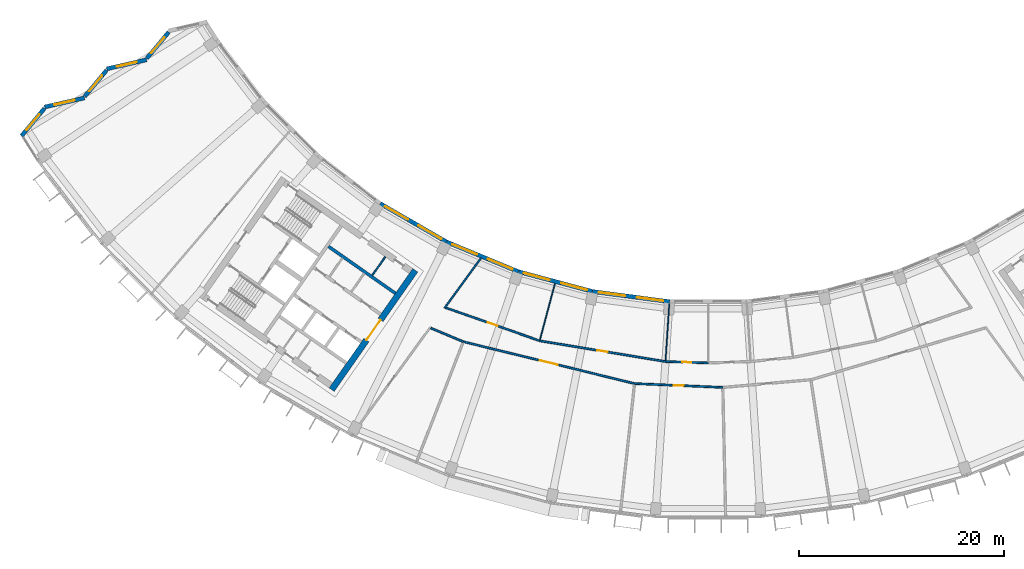
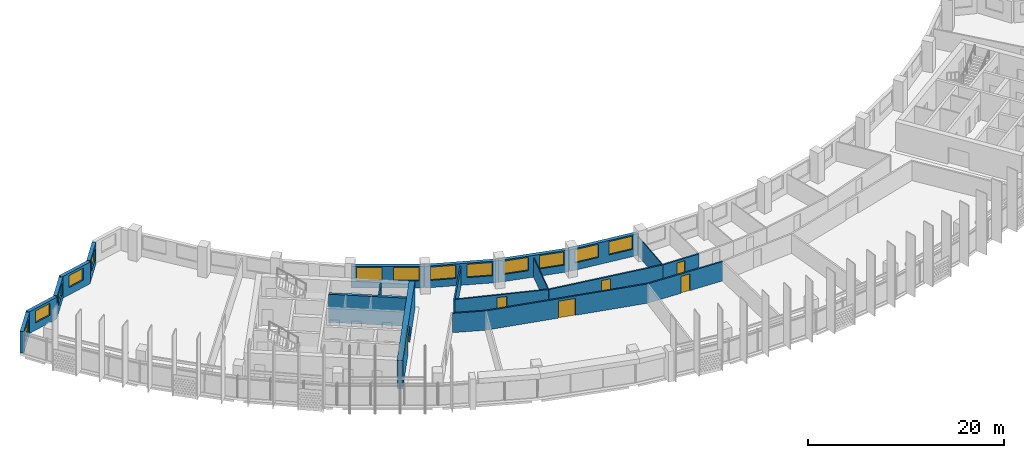
# One storey, part 4 of 28: 21 walls, 13 windows, 6 doors, 19 openings.
"""IFC4 building model written with IfcOpenShell, lengths in metres."""

from ifc_helpers import new_model, si_unit, direction, frame, frame_2d, origin, place, context, subcontext, project, spatial, rectangle, extrude, material, layer, layer_set, type_object, element, fill, save


model = new_model("IFC4")

# Units and contexts
model_context = context("Model", 3, precision=1e-05, world=origin(), true_north=direction((0.0, 1.0)))
body_context = subcontext(model_context, "Body", "Model", "MODEL_VIEW")
ifc_project = project(units=[si_unit("LENGTHUNIT", "METRE"), si_unit("AREAUNIT", "SQUARE_METRE"), si_unit("VOLUMEUNIT", "CUBIC_METRE"), si_unit("PLANEANGLEUNIT", "RADIAN"), si_unit("MASSUNIT", "GRAM", prefix="KILO")], contexts=[model_context])

# Site, building, storey
site_placement = place(None, origin())
site = spatial("IfcSite", under=ifc_project, at=site_placement, CompositionType="ELEMENT")
building_placement = place(site_placement, origin())
building = spatial("IfcBuilding", under=site, at=building_placement, Name="Qamariyya Broadcast Tower", CompositionType="ELEMENT")
storey_placement = place(building_placement, frame((0.0, 0.0, 234.10009765625)))
storey = spatial("IfcBuildingStorey", under=building, at=storey_placement, Name="L56", CompositionType="ELEMENT", Elevation=234.10009765625)

# Wall, opening, door
ifc_material_1 = material(Name="Concrete C60/75", Category="concrete")
ifc_layer_1 = layer(ifc_material_1, 0.60009765625)
ifc_layer_set_1 = layer_set([ifc_layer_1], Name="Core wall 600 mm Concrete C60/75")
wall_type_1 = type_object("IfcWallType", Name="Core wall 600 mm Concrete C60/75", PredefinedType="SHEAR", material=ifc_layer_set_1)
wall_1_placement = place(storey_placement, frame((-36.66748046875, -66.005126953125, 0.0), z_axis=(0.0, 0.0, 1.0), x_axis=(0.573568499524, 0.819157601658, 0.0)))
wall_1 = element("IfcWall", 1, at=wall_1_placement, inside=storey, type_object=wall_type_1, Name="k-W-L56-WA", PredefinedType="SHEAR", context=body_context, shape_type="SweptSolid", body=[
    extrude(rectangle(XDim=14.19970703125, YDim=0.60009765625, at=frame_2d((7.099853515625, 0.0))), origin(), (0.0, 0.0, 1.0), 3.5),
])
opening_1_placement = place(wall_1_placement, frame((5.89990234375, 0.0, 0.0)))
opening_1 = element("IfcOpeningElement", 2, at=opening_1_placement, cuts=wall_1, Name="Opening KD3-W1", PredefinedType="OPENING", context=body_context, shape_type="SweptSolid", body=[
    extrude(rectangle(XDim=2.39990234375, YDim=2.10009765625, at=frame_2d((1.199951171875, 1.050048828125))), frame((0.0, 0.31005859375, 0.0), z_axis=(0.0, -1.0, 0.0), x_axis=(1.0, 0.0, 0.0)), (0.0, 0.0, 1.0), 0.6201171875),
])
ifc_material_2 = material(Name="Steel fire-resisting door leaf", Category="steel")
door_type_1 = type_object("IfcDoorType", Name="Lift lobby door KD3", OperationType="DOUBLE_DOOR_SINGLE_SWING", PredefinedType="DOOR", material=ifc_material_2)
door_1_placement = place(opening_1_placement, origin())
door_1 = element("IfcDoor", 3, at=door_1_placement, inside=storey, type_object=door_type_1, Name="k-W-L56-WA-D1", OperationType="DOUBLE_DOOR_SINGLE_SWING", OverallHeight=2.10009765625, OverallWidth=2.39990234375, PredefinedType="DOOR", context=body_context, shape_type="SweptSolid", body=[
    extrude(rectangle(XDim=2.39990234375, YDim=2.10009765625, at=frame_2d((1.199951171875, 1.050048828125))), frame((0.0, 0.02490234375, 0.0), z_axis=(0.0, -1.0, 0.0), x_axis=(1.0, 0.0, 0.0)), (0.0, 0.0, 1.0), 0.050048828125),
])
fill(opening_1, door_1)

# Walls
ifc_material_3 = material(Name="Gypsum board partition")
ifc_layer_2 = layer(ifc_material_3, 0.14990234375)
ifc_layer_set_2 = layer_set([ifc_layer_2], Name="Corridor partition 150 EI 60")
wall_type_2 = type_object("IfcWallType", Name="Corridor partition 150 EI 60", PredefinedType="PARTITIONING", material=ifc_layer_set_2)
wall_2_placement = place(storey_placement, frame((-22.135498046875, -53.1943359375, 0.0), z_axis=(0.0, 0.0, 1.0), x_axis=(-0.589303921314, -0.807911435941, 0.0)))
element("IfcWall", 4, at=wall_2_placement, inside=storey, type_object=wall_type_2, Name="Partition L56-007", PredefinedType="PARTITIONING", context=body_context, shape_type="SweptSolid", body=[
    extrude(rectangle(XDim=6.02294921875, YDim=0.14990234375, at=frame_2d((3.011474609375, 0.0))), origin(), (0.0, 0.0, 1.0), 2.39990234375),
])
ifc_material_4 = material(Name="Gypsum board partition on steel studs", Category="steel")
ifc_layer_3 = layer(ifc_material_4, 0.14990234375)
ifc_layer_set_3 = layer_set([ifc_layer_3], Name="Gypsum board partition 150 mm")
wall_type_3 = type_object("IfcWallType", Name="Gypsum board partition 150 mm", PredefinedType="PARTITIONING", material=ifc_layer_set_3)
wall_3_placement = place(storey_placement, frame((-32.709228515625, -54.860107421875, 0.0), z_axis=(0.0, 0.0, 1.0), x_axis=(0.573633636671, 0.819111989218, 0.0)))
element("IfcWall", 5, at=wall_3_placement, inside=storey, type_object=wall_type_3, Name="k-W-L56-NP285", PredefinedType="PARTITIONING", context=body_context, shape_type="SweptSolid", body=[
    extrude(rectangle(XDim=2.199951171875, YDim=0.14990234375, at=frame_2d((1.10009765625, 0.0))), origin(), (0.0, 0.0, 1.0), 3.5),
])
ifc_layer_4 = layer(ifc_material_1, 0.300048828125)
ifc_layer_set_4 = layer_set([ifc_layer_4], Name="Lift shaft wall 300 mm Concrete C60/75")
wall_type_4 = type_object("IfcWallType", Name="Lift shaft wall 300 mm Concrete C60/75", PredefinedType="SOLIDWALL", material=ifc_layer_set_4)
wall_4_placement = place(storey_placement, frame((-30.460693359375, -56.61767578125, 0.0), z_axis=(0.0, 0.0, 1.0), x_axis=(-0.819142461705, 0.573590121456, 0.0)))
element("IfcWall", 6, at=wall_4_placement, inside=storey, type_object=wall_type_4, Name="k-W-L56-NB0", PredefinedType="SOLIDWALL", context=body_context, shape_type="SweptSolid", body=[
    extrude(rectangle(XDim=7.949951171875, YDim=0.300048828125, at=frame_2d((3.97509765625, 0.0))), origin(), (0.0, 0.0, 1.0), 3.5),
])
ifc_layer_5 = layer(ifc_material_3, 0.10009765625)
ifc_layer_set_5 = layer_set([ifc_layer_5], Name="Partition 100")
wall_type_5 = type_object("IfcWallType", Name="Partition 100", PredefinedType="PARTITIONING", material=ifc_layer_set_5)
wall_5_placement = place(storey_placement, frame((-14.9150390625, -55.66357421875, 0.0), z_axis=(0.0, 0.0, 1.0), x_axis=(-0.25879621203, -0.965931944103, 0.0)))
element("IfcWall", 7, at=wall_5_placement, inside=storey, type_object=wall_type_5, Name="Partition L56-009", PredefinedType="PARTITIONING", context=body_context, shape_type="SweptSolid", body=[
    extrude(rectangle(XDim=5.682861328125, YDim=0.10009765625, at=frame_2d((2.84130859375, 0.0))), origin(), (0.0, 0.0, 1.0), 2.39990234375),
])
wall_6_placement = place(storey_placement, frame((-3.777099609375, -57.62646484375, 0.0), z_axis=(0.0, 0.0, 1.0), x_axis=(-0.065382352654, -0.99786028479, 0.0)))
element("IfcWall", 8, at=wall_6_placement, inside=storey, type_object=wall_type_5, Name="Partition L56-013", PredefinedType="PARTITIONING", context=body_context, shape_type="SweptSolid", body=[
    extrude(rectangle(XDim=5.56005859375, YDim=0.10009765625, at=frame_2d((2.780029296875, 0.0))), origin(), (0.0, 0.0, 1.0), 2.39990234375),
])
ifc_layer_6 = layer(ifc_material_3, 0.179931640625)
ifc_layer_set_6 = layer_set([ifc_layer_6], Name="Studio acoustic partition 180 EI 60")
wall_type_6 = type_object("IfcWallType", Name="Studio acoustic partition 180 EI 60", PredefinedType="PARTITIONING", material=ifc_layer_set_6)
wall_7_placement = place(storey_placement, frame((-27.008544921875, -59.999267578125, 0.0), z_axis=(0.0, 0.0, 1.0), x_axis=(0.922043605685, -0.387086023018, 0.0)))
element("IfcWall", 9, at=wall_7_placement, inside=storey, type_object=wall_type_6, Name="Partition L56-004", PredefinedType="PARTITIONING", context=body_context, shape_type="SweptSolid", body=[
    extrude(rectangle(XDim=3.42919921875, YDim=0.179931640625, at=frame_2d((1.714599609375, 0.0))), origin(), (0.0, 0.0, 1.0), 2.39990234375),
])

# Wall, opening, door
wall_8_placement = place(storey_placement, frame((-25.56103515625, -58.0126953125, 0.0), z_axis=(0.0, 0.0, 1.0), x_axis=(0.943087830275, -0.332543748081, 0.0)))
wall_8 = element("IfcWall", 10, at=wall_8_placement, inside=storey, type_object=wall_type_6, Name="Partition L56-005", PredefinedType="PARTITIONING", context=body_context, shape_type="SweptSolid", body=[
    extrude(rectangle(XDim=9.7041015625, YDim=0.179931640625, at=frame_2d((4.85205078125, 0.0))), origin(), (0.0, 0.0, 1.0), 2.39990234375),
])
opening_2_placement = place(wall_8_placement, frame((4.35205078125, 0.0, 0.0)))
opening_2 = element("IfcOpeningElement", 11, at=opening_2_placement, cuts=wall_8, Name="Opening L56-D06", PredefinedType="OPENING", context=body_context, shape_type="SweptSolid", body=[
    extrude(rectangle(XDim=1.0, YDim=2.10009765625, at=frame_2d((0.5, 1.050048828125))), frame((0.0, 0.099853515625, 0.0), z_axis=(0.0, -1.0, 0.0), x_axis=(1.0, 0.0, 0.0)), (0.0, 0.0, 1.0), 0.199951171875),
])
ifc_material_5 = material(Name="Timber fire door leaf", Category="wood")
door_type_2 = type_object("IfcDoorType", Name="Fire door 1000 x 2100 FD60", OperationType="NOTDEFINED", PredefinedType="DOOR", material=ifc_material_5)
door_2_placement = place(opening_2_placement, origin())
door_2 = element("IfcDoor", 12, at=door_2_placement, inside=storey, type_object=door_type_2, Name="Door L56-D06", OperationType="SINGLE_SWING_RIGHT", OverallHeight=2.10009765625, OverallWidth=1.0, PredefinedType="DOOR", context=body_context, shape_type="SweptSolid", body=[
    extrude(rectangle(XDim=1.0, YDim=2.10009765625, at=frame_2d((0.5, 1.050048828125))), frame((0.0, 0.02490234375, 0.0), z_axis=(0.0, -1.0, 0.0), x_axis=(1.0, 0.0, 0.0)), (0.0, 0.0, 1.0), 0.050048828125),
])
fill(opening_2, door_2)

wall_9_placement = place(storey_placement, frame((-7.16162109375, -65.4091796875, 0.0), z_axis=(0.0, 0.0, 1.0), x_axis=(-0.971345945065, 0.23767005492, 0.0)))
wall_9 = element("IfcWall", 13, at=wall_9_placement, inside=storey, type_object=wall_type_6, Name="Partition L56-006", PredefinedType="PARTITIONING", context=body_context, shape_type="SweptSolid", body=[
    extrude(rectangle(XDim=17.17724609375, YDim=0.179931640625, at=frame_2d((8.588623046875, 0.0))), origin(), (0.0, 0.0, 1.0), 2.39990234375),
])
opening_3_placement = place(wall_9_placement, frame((7.688720703125, 0.0, 0.0)))
opening_3 = element("IfcOpeningElement", 14, at=opening_3_placement, cuts=wall_9, Name="Opening L56-D02", PredefinedType="OPENING", context=body_context, shape_type="SweptSolid", body=[
    extrude(rectangle(XDim=1.800048828125, YDim=2.10009765625, at=frame_2d((0.89990234375, 1.050048828125))), frame((0.0, 0.099853515625, 0.0), z_axis=(0.0, -1.0, 0.0), x_axis=(1.0, 0.0, 0.0)), (0.0, 0.0, 1.0), 0.199951171875),
])
door_type_3 = type_object("IfcDoorType", Name="Double fire door 1800 x 2100 FD60", OperationType="NOTDEFINED", PredefinedType="DOOR", material=ifc_material_5)
door_3_placement = place(opening_3_placement, origin())
door_3 = element("IfcDoor", 15, at=door_3_placement, inside=storey, type_object=door_type_3, Name="Door L56-D02", OperationType="DOUBLE_DOOR_SINGLE_SWING", OverallHeight=2.10009765625, OverallWidth=1.800048828125, PredefinedType="DOOR", context=body_context, shape_type="SweptSolid", body=[
    extrude(rectangle(XDim=1.800048828125, YDim=2.10009765625, at=frame_2d((0.89990234375, 1.050048828125))), frame((0.0, 0.02490234375, 0.0), z_axis=(0.0, -1.0, 0.0), x_axis=(1.0, 0.0, 0.0)), (0.0, 0.0, 1.0), 0.050048828125),
])
fill(opening_3, door_3)

wall_10_placement = place(storey_placement, frame((-16.4091796875, -61.23974609375, 0.0), z_axis=(0.0, 0.0, 1.0), x_axis=(0.986645467323, -0.162882539919, 0.0)))
wall_10 = element("IfcWall", 16, at=wall_10_placement, inside=storey, type_object=wall_type_6, Name="Partition L56-008", PredefinedType="PARTITIONING", context=body_context, shape_type="SweptSolid", body=[
    extrude(rectangle(XDim=12.4287109375, YDim=0.179931640625, at=frame_2d((6.21435546875, 0.0))), origin(), (0.0, 0.0, 1.0), 2.39990234375),
])
opening_4_placement = place(wall_10_placement, frame((5.71435546875, 0.0, 0.0)))
opening_4 = element("IfcOpeningElement", 17, at=opening_4_placement, cuts=wall_10, Name="Opening L56-D07", PredefinedType="OPENING", context=body_context, shape_type="SweptSolid", body=[
    extrude(rectangle(XDim=1.0, YDim=2.10009765625, at=frame_2d((0.5, 1.050048828125))), frame((0.0, 0.099853515625, 0.0), z_axis=(0.0, -1.0, 0.0), x_axis=(1.0, 0.0, 0.0)), (0.0, 0.0, 1.0), 0.199951171875),
])
door_4_placement = place(opening_4_placement, origin())
door_4 = element("IfcDoor", 18, at=door_4_placement, inside=storey, type_object=door_type_2, Name="Door L56-D07", OperationType="SINGLE_SWING_RIGHT", OverallHeight=2.10009765625, OverallWidth=1.0, PredefinedType="DOOR", context=body_context, shape_type="SweptSolid", body=[
    extrude(rectangle(XDim=1.0, YDim=2.10009765625, at=frame_2d((0.5, 1.050048828125))), frame((0.0, 0.02490234375, 0.0), z_axis=(0.0, -1.0, 0.0), x_axis=(1.0, 0.0, 0.0)), (0.0, 0.0, 1.0), 0.050048828125),
])
fill(opening_4, door_4)

wall_11_placement = place(storey_placement, frame((1.437255859375, -65.7841796875, 0.0), z_axis=(0.0, 0.0, 1.0), x_axis=(-0.999050423115, 0.043568934724, 0.0)))
wall_11 = element("IfcWall", 19, at=wall_11_placement, inside=storey, type_object=wall_type_6, Name="Partition L56-011", PredefinedType="PARTITIONING", context=body_context, shape_type="SweptSolid", body=[
    extrude(rectangle(XDim=8.60693359375, YDim=0.179931640625, at=frame_2d((4.303466796875, 0.0))), origin(), (0.0, 0.0, 1.0), 2.39990234375),
])
opening_5_placement = place(wall_11_placement, frame((3.803466796875, 0.0, 0.0)))
opening_5 = element("IfcOpeningElement", 20, at=opening_5_placement, cuts=wall_11, Name="Opening L56-D03", PredefinedType="OPENING", context=body_context, shape_type="SweptSolid", body=[
    extrude(rectangle(XDim=1.0, YDim=2.10009765625, at=frame_2d((0.5, 1.050048828125))), frame((0.0, 0.099853515625, 0.0), z_axis=(0.0, -1.0, 0.0), x_axis=(1.0, 0.0, 0.0)), (0.0, 0.0, 1.0), 0.199951171875),
])
door_5_placement = place(opening_5_placement, origin())
door_5 = element("IfcDoor", 21, at=door_5_placement, inside=storey, type_object=door_type_2, Name="Door L56-D03", OperationType="SINGLE_SWING_RIGHT", OverallHeight=2.10009765625, OverallWidth=1.0, PredefinedType="DOOR", context=body_context, shape_type="SweptSolid", body=[
    extrude(rectangle(XDim=1.0, YDim=2.10009765625, at=frame_2d((0.5, 1.050048828125))), frame((0.0, 0.02490234375, 0.0), z_axis=(0.0, -1.0, 0.0), x_axis=(1.0, 0.0, 0.0)), (0.0, 0.0, 1.0), 0.050048828125),
])
fill(opening_5, door_5)

wall_12_placement = place(storey_placement, frame((-4.146484375, -63.26416015625, 0.0), z_axis=(0.0, 0.0, 1.0), x_axis=(0.999464584765, -0.032719165634, 0.0)))
wall_12 = element("IfcWall", 22, at=wall_12_placement, inside=storey, type_object=wall_type_6, Name="Partition L56-012", PredefinedType="PARTITIONING", context=body_context, shape_type="SweptSolid", body=[
    extrude(rectangle(XDim=4.148681640625, YDim=0.179931640625, at=frame_2d((2.07421875, 0.0))), origin(), (0.0, 0.0, 1.0), 2.39990234375),
])
opening_6_placement = place(wall_12_placement, frame((1.62451171875, 0.0, 0.0)))
opening_6 = element("IfcOpeningElement", 23, at=opening_6_placement, cuts=wall_12, Name="Opening L56-D08", PredefinedType="OPENING", context=body_context, shape_type="SweptSolid", body=[
    extrude(rectangle(XDim=0.89990234375, YDim=2.10009765625, at=frame_2d((0.449951171875, 1.050048828125))), frame((0.0, 0.099853515625, 0.0), z_axis=(0.0, -1.0, 0.0), x_axis=(1.0, 0.0, 0.0)), (0.0, 0.0, 1.0), 0.199951171875),
])
door_type_4 = type_object("IfcDoorType", Name="Fire door 900 x 2100 FD60", OperationType="NOTDEFINED", PredefinedType="DOOR", material=ifc_material_5)
door_6_placement = place(opening_6_placement, origin())
door_6 = element("IfcDoor", 24, at=door_6_placement, inside=storey, type_object=door_type_4, Name="Door L56-D08", OperationType="SINGLE_SWING_RIGHT", OverallHeight=2.10009765625, OverallWidth=0.89990234375, PredefinedType="DOOR", context=body_context, shape_type="SweptSolid", body=[
    extrude(rectangle(XDim=0.89990234375, YDim=2.10009765625, at=frame_2d((0.449951171875, 1.050048828125))), frame((0.0, 0.02490234375, 0.0), z_axis=(0.0, -1.0, 0.0), x_axis=(1.0, 0.0, 0.0)), (0.0, 0.0, 1.0), 0.050048828125),
])
fill(opening_6, door_6)

# Wall, opening, window
ifc_material_6 = material(Name="Terracotta", Category="masonry")
ifc_layer_7 = layer(ifc_material_6, 0.39990234375)
ifc_layer_set_7 = layer_set([ifc_layer_7], Name="Terracotta clad wall 400")
wall_type_7 = type_object("IfcWallType", Name="Terracotta clad wall 400", PredefinedType="SOLIDWALL", material=ifc_layer_set_7)
wall_13_placement = place(storey_placement, frame((-52.550048828125, -31.1728515625, 0.0), z_axis=(0.0, 0.0, 1.0), x_axis=(-0.640711347684, -0.767781849843, 0.0)))
wall_13 = element("IfcWall", 25, at=wall_13_placement, inside=storey, type_object=wall_type_7, Name="e-wl-L56-capW1", PredefinedType="SOLIDWALL", context=body_context, shape_type="SweptSolid", body=[
    extrude(rectangle(XDim=3.32568359375, YDim=0.39990234375, at=frame_2d((1.662841796875, 0.0))), origin(), (0.0, 0.0, 1.0), 2.699951171875),
])
opening_7_placement = place(wall_13_placement, frame((0.662841796875, 0.0, 0.89990234375)))
opening_7 = element("IfcOpeningElement", 26, at=opening_7_placement, cuts=wall_13, Name="Opening W4", PredefinedType="OPENING", context=body_context, shape_type="SweptSolid", body=[
    extrude(rectangle(XDim=2.0, YDim=1.5, at=frame_2d((1.0, 0.75))), frame((0.0, 0.2099609375, 0.0), z_axis=(0.0, -1.0, 0.0), x_axis=(1.0, 0.0, 0.0)), (0.0, 0.0, 1.0), 0.419921875),
])
ifc_material_7 = material(Name="Clear low-e double glazed unit in aluminium frame", Category="aluminium")
window_type_1 = type_object("IfcWindowType", Name="Horn bay window 2000 x 1500", PartitioningType="SINGLE_PANEL", PredefinedType="WINDOW", material=ifc_material_7)
window_1_placement = place(opening_7_placement, origin())
window_1 = element("IfcWindow", 27, at=window_1_placement, inside=storey, type_object=window_type_1, Name="e-w-L56-capW1", OverallHeight=1.5, OverallWidth=2.0, PartitioningType="SINGLE_PANEL", PredefinedType="WINDOW", context=body_context, shape_type="SweptSolid", body=[
    extrude(rectangle(XDim=2.0, YDim=1.5, at=frame_2d((1.0, 0.75))), frame((0.0, 0.030029296875, 0.0), z_axis=(0.0, -1.0, 0.0), x_axis=(1.0, 0.0, 0.0)), (0.0, 0.0, 1.0), 0.06005859375),
])
fill(opening_7, window_1)

wall_14_placement = place(storey_placement, frame((-54.70263671875, -33.86572265625, 0.0), z_axis=(0.0, 0.0, 1.0), x_axis=(-0.975109333247, -0.22172457738, 0.0)))
wall_14 = element("IfcWall", 28, at=wall_14_placement, inside=storey, type_object=wall_type_7, Name="e-wl-L56-capW2", PredefinedType="SOLIDWALL", context=body_context, shape_type="SweptSolid", body=[
    extrude(rectangle(XDim=3.97705078125, YDim=0.39990234375, at=frame_2d((1.988525390625, 0.0))), origin(), (0.0, 0.0, 1.0), 2.699951171875),
])
opening_8_placement = place(wall_14_placement, frame((0.988525390625, 0.0, 0.89990234375)))
opening_8 = element("IfcOpeningElement", 29, at=opening_8_placement, cuts=wall_14, Name="Opening W4", PredefinedType="OPENING", context=body_context, shape_type="SweptSolid", body=[
    extrude(rectangle(XDim=2.0, YDim=1.5, at=frame_2d((1.0, 0.75))), frame((0.0, 0.2099609375, 0.0), z_axis=(0.0, -1.0, 0.0), x_axis=(1.0, 0.0, 0.0)), (0.0, 0.0, 1.0), 0.419921875),
])
window_2_placement = place(opening_8_placement, origin())
window_2 = element("IfcWindow", 30, at=window_2_placement, inside=storey, type_object=window_type_1, Name="e-w-L56-capW2", OverallHeight=1.5, OverallWidth=2.0, PartitioningType="SINGLE_PANEL", PredefinedType="WINDOW", context=body_context, shape_type="SweptSolid", body=[
    extrude(rectangle(XDim=2.0, YDim=1.5, at=frame_2d((1.0, 0.75))), frame((0.0, 0.030029296875, 0.0), z_axis=(0.0, -1.0, 0.0), x_axis=(1.0, 0.0, 0.0)), (0.0, 0.0, 1.0), 0.06005859375),
])
fill(opening_8, window_2)

wall_15_placement = place(storey_placement, frame((-58.602294921875, -34.88720703125, 0.0), z_axis=(0.0, 0.0, 1.0), x_axis=(-0.640646562829, -0.767835907948, 0.0)))
wall_15 = element("IfcWall", 31, at=wall_15_placement, inside=storey, type_object=wall_type_7, Name="e-wl-L56-capW3", PredefinedType="SOLIDWALL", context=body_context, shape_type="SweptSolid", body=[
    extrude(rectangle(XDim=3.324462890625, YDim=0.39990234375, at=frame_2d((1.662109375, 0.0))), origin(), (0.0, 0.0, 1.0), 2.699951171875),
])
opening_9_placement = place(wall_15_placement, frame((0.662353515625, 0.0, 0.89990234375)))
opening_9 = element("IfcOpeningElement", 32, at=opening_9_placement, cuts=wall_15, Name="Opening W4", PredefinedType="OPENING", context=body_context, shape_type="SweptSolid", body=[
    extrude(rectangle(XDim=2.0, YDim=1.5, at=frame_2d((1.0, 0.75))), frame((0.0, 0.2099609375, 0.0), z_axis=(0.0, -1.0, 0.0), x_axis=(1.0, 0.0, 0.0)), (0.0, 0.0, 1.0), 0.419921875),
])
window_3_placement = place(opening_9_placement, origin())
window_3 = element("IfcWindow", 33, at=window_3_placement, inside=storey, type_object=window_type_1, Name="e-w-L56-capW3", OverallHeight=1.5, OverallWidth=2.0, PartitioningType="SINGLE_PANEL", PredefinedType="WINDOW", context=body_context, shape_type="SweptSolid", body=[
    extrude(rectangle(XDim=2.0, YDim=1.5, at=frame_2d((1.0, 0.75))), frame((0.0, 0.030029296875, 0.0), z_axis=(0.0, -1.0, 0.0), x_axis=(1.0, 0.0, 0.0)), (0.0, 0.0, 1.0), 0.06005859375),
])
fill(opening_9, window_3)

wall_16_placement = place(storey_placement, frame((-60.753662109375, -37.57958984375, 0.0), z_axis=(0.0, 0.0, 1.0), x_axis=(-0.975094862512, -0.221788207761, 0.0)))
wall_16 = element("IfcWall", 34, at=wall_16_placement, inside=storey, type_object=wall_type_7, Name="e-wl-L56-capW4", PredefinedType="SOLIDWALL", context=body_context, shape_type="SweptSolid", body=[
    extrude(rectangle(XDim=3.978271484375, YDim=0.39990234375, at=frame_2d((1.9892578125, 0.0))), origin(), (0.0, 0.0, 1.0), 2.699951171875),
])
opening_10_placement = place(wall_16_placement, frame((0.989013671875, 0.0, 0.89990234375)))
opening_10 = element("IfcOpeningElement", 35, at=opening_10_placement, cuts=wall_16, Name="Opening W4", PredefinedType="OPENING", context=body_context, shape_type="SweptSolid", body=[
    extrude(rectangle(XDim=2.0, YDim=1.5, at=frame_2d((1.0, 0.75))), frame((0.0, 0.2099609375, 0.0), z_axis=(0.0, -1.0, 0.0), x_axis=(1.0, 0.0, 0.0)), (0.0, 0.0, 1.0), 0.419921875),
])
window_4_placement = place(opening_10_placement, origin())
window_4 = element("IfcWindow", 36, at=window_4_placement, inside=storey, type_object=window_type_1, Name="e-w-L56-capW4", OverallHeight=1.5, OverallWidth=2.0, PartitioningType="SINGLE_PANEL", PredefinedType="WINDOW", context=body_context, shape_type="SweptSolid", body=[
    extrude(rectangle(XDim=2.0, YDim=1.5, at=frame_2d((1.0, 0.75))), frame((0.0, 0.030029296875, 0.0), z_axis=(0.0, -1.0, 0.0), x_axis=(1.0, 0.0, 0.0)), (0.0, 0.0, 1.0), 0.06005859375),
])
fill(opening_10, window_4)

wall_17_placement = place(storey_placement, frame((-64.654541015625, -38.6015625, 0.0), z_axis=(0.0, 0.0, 1.0), x_axis=(-0.64053012495, -0.767933043326, 0.0)))
wall_17 = element("IfcWall", 37, at=wall_17_placement, inside=storey, type_object=wall_type_7, Name="e-wl-L56-capW5", PredefinedType="SOLIDWALL", context=body_context, shape_type="SweptSolid", body=[
    extrude(rectangle(XDim=3.472412109375, YDim=0.39990234375, at=frame_2d((1.736328125, 0.0))), origin(), (0.0, 0.0, 1.0), 2.699951171875),
])
opening_11_placement = place(wall_17_placement, frame((0.736083984375, 0.0, 0.89990234375)))
opening_11 = element("IfcOpeningElement", 38, at=opening_11_placement, cuts=wall_17, Name="Opening W4", PredefinedType="OPENING", context=body_context, shape_type="SweptSolid", body=[
    extrude(rectangle(XDim=2.0, YDim=1.5, at=frame_2d((1.0, 0.75))), frame((0.0, 0.2099609375, 0.0), z_axis=(0.0, -1.0, 0.0), x_axis=(1.0, 0.0, 0.0)), (0.0, 0.0, 1.0), 0.419921875),
])
window_5_placement = place(opening_11_placement, origin())
window_5 = element("IfcWindow", 39, at=window_5_placement, inside=storey, type_object=window_type_1, Name="e-w-L56-capW5", OverallHeight=1.5, OverallWidth=2.0, PartitioningType="SINGLE_PANEL", PredefinedType="WINDOW", context=body_context, shape_type="SweptSolid", body=[
    extrude(rectangle(XDim=2.0, YDim=1.5, at=frame_2d((1.0, 0.75))), frame((0.0, 0.030029296875, 0.0), z_axis=(0.0, -1.0, 0.0), x_axis=(1.0, 0.0, 0.0)), (0.0, 0.0, 1.0), 0.06005859375),
])
fill(opening_11, window_5)

# Wall, openings, windows
wall_18_placement = place(storey_placement, frame((-25.497802734375, -51.590087890625, 0.0), z_axis=(0.0, 0.0, 1.0), x_axis=(-0.866021353871, 0.500007014591, 0.0)))
wall_18 = element("IfcWall", 40, at=wall_18_placement, inside=storey, type_object=wall_type_7, Name="e-wl-L56-in40", PredefinedType="SOLIDWALL", context=body_context, shape_type="SweptSolid", body=[
    extrude(rectangle(XDim=7.4267578125, YDim=0.39990234375, at=frame_2d((3.71337890625, 0.0))), origin(), (0.0, 0.0, 1.0), 2.699951171875),
])
opening_12_placement = place(wall_18_placement, frame((4.28857421875, 0.0, 0.89990234375)))
opening_12 = element("IfcOpeningElement", 41, at=opening_12_placement, cuts=wall_18, Name="Opening W1", PredefinedType="OPENING", context=body_context, shape_type="SweptSolid", body=[
    extrude(rectangle(XDim=2.60009765625, YDim=1.64990234375, at=frame_2d((1.300048828125, 0.824951171875))), frame((0.0, 0.2099609375, 0.0), z_axis=(0.0, -1.0, 0.0), x_axis=(1.0, 0.0, 0.0)), (0.0, 0.0, 1.0), 0.419921875),
])
opening_13_placement = place(wall_18_placement, frame((0.537841796875, 0.0, 0.89990234375)))
opening_13 = element("IfcOpeningElement", 42, at=opening_13_placement, cuts=wall_18, Name="Opening W1", PredefinedType="OPENING", context=body_context, shape_type="SweptSolid", body=[
    extrude(rectangle(XDim=2.60009765625, YDim=1.64990234375, at=frame_2d((1.300048828125, 0.824951171875))), frame((0.0, 0.2099609375, 0.0), z_axis=(0.0, -1.0, 0.0), x_axis=(1.0, 0.0, 0.0)), (0.0, 0.0, 1.0), 0.419921875),
])
window_type_2 = type_object("IfcWindowType", Name="Ribbon window 2600 x 1650", PartitioningType="SINGLE_PANEL", PredefinedType="WINDOW", material=ifc_material_7)
window_6_placement = place(opening_12_placement, origin())
window_6 = element("IfcWindow", 43, at=window_6_placement, inside=storey, type_object=window_type_2, Name="e-w-L56-in04-0", OverallHeight=1.64990234375, OverallWidth=2.60009765625, PartitioningType="SINGLE_PANEL", PredefinedType="WINDOW", context=body_context, shape_type="SweptSolid", body=[
    extrude(rectangle(XDim=2.60009765625, YDim=1.64990234375, at=frame_2d((1.300048828125, 0.824951171875))), frame((0.0, 0.030029296875, 0.0), z_axis=(0.0, -1.0, 0.0), x_axis=(1.0, 0.0, 0.0)), (0.0, 0.0, 1.0), 0.06005859375),
])
fill(opening_12, window_6)
window_7_placement = place(opening_13_placement, origin())
window_7 = element("IfcWindow", 44, at=window_7_placement, inside=storey, type_object=window_type_2, Name="e-w-L56-in04-1", OverallHeight=1.64990234375, OverallWidth=2.60009765625, PartitioningType="SINGLE_PANEL", PredefinedType="WINDOW", context=body_context, shape_type="SweptSolid", body=[
    extrude(rectangle(XDim=2.60009765625, YDim=1.64990234375, at=frame_2d((1.300048828125, 0.824951171875))), frame((0.0, 0.030029296875, 0.0), z_axis=(0.0, -1.0, 0.0), x_axis=(1.0, 0.0, 0.0)), (0.0, 0.0, 1.0), 0.06005859375),
])
fill(opening_13, window_7)

wall_19_placement = place(storey_placement, frame((-18.475830078125, -54.505859375, 0.0), z_axis=(0.0, 0.0, 1.0), x_axis=(-0.923884115122, 0.382672368777, 0.0)))
wall_19 = element("IfcWall", 45, at=wall_19_placement, inside=storey, type_object=wall_type_7, Name="e-wl-L56-in50", PredefinedType="SOLIDWALL", context=body_context, shape_type="SweptSolid", body=[
    extrude(rectangle(XDim=7.578125, YDim=0.39990234375, at=frame_2d((3.7890625, 0.0))), origin(), (0.0, 0.0, 1.0), 2.699951171875),
])
opening_14_placement = place(wall_19_placement, frame((4.364501953125, 0.0, 0.89990234375)))
opening_14 = element("IfcOpeningElement", 46, at=opening_14_placement, cuts=wall_19, Name="Opening W1", PredefinedType="OPENING", context=body_context, shape_type="SweptSolid", body=[
    extrude(rectangle(XDim=2.60009765625, YDim=1.64990234375, at=frame_2d((1.300048828125, 0.824951171875))), frame((0.0, 0.2099609375, 0.0), z_axis=(0.0, -1.0, 0.0), x_axis=(1.0, 0.0, 0.0)), (0.0, 0.0, 1.0), 0.419921875),
])
opening_15_placement = place(wall_19_placement, frame((0.613525390625, 0.0, 0.89990234375)))
opening_15 = element("IfcOpeningElement", 47, at=opening_15_placement, cuts=wall_19, Name="Opening W1", PredefinedType="OPENING", context=body_context, shape_type="SweptSolid", body=[
    extrude(rectangle(XDim=2.60009765625, YDim=1.64990234375, at=frame_2d((1.300048828125, 0.824951171875))), frame((0.0, 0.2099609375, 0.0), z_axis=(0.0, -1.0, 0.0), x_axis=(1.0, 0.0, 0.0)), (0.0, 0.0, 1.0), 0.419921875),
])
window_8_placement = place(opening_14_placement, origin())
window_8 = element("IfcWindow", 48, at=window_8_placement, inside=storey, type_object=window_type_2, Name="e-w-L56-in05-0", OverallHeight=1.64990234375, OverallWidth=2.60009765625, PartitioningType="SINGLE_PANEL", PredefinedType="WINDOW", context=body_context, shape_type="SweptSolid", body=[
    extrude(rectangle(XDim=2.60009765625, YDim=1.64990234375, at=frame_2d((1.300048828125, 0.824951171875))), frame((0.0, 0.030029296875, 0.0), z_axis=(0.0, -1.0, 0.0), x_axis=(1.0, 0.0, 0.0)), (0.0, 0.0, 1.0), 0.06005859375),
])
fill(opening_14, window_8)
window_9_placement = place(opening_15_placement, origin())
window_9 = element("IfcWindow", 49, at=window_9_placement, inside=storey, type_object=window_type_2, Name="e-w-L56-in05-1", OverallHeight=1.64990234375, OverallWidth=2.60009765625, PartitioningType="SINGLE_PANEL", PredefinedType="WINDOW", context=body_context, shape_type="SweptSolid", body=[
    extrude(rectangle(XDim=2.60009765625, YDim=1.64990234375, at=frame_2d((1.300048828125, 0.824951171875))), frame((0.0, 0.030029296875, 0.0), z_axis=(0.0, -1.0, 0.0), x_axis=(1.0, 0.0, 0.0)), (0.0, 0.0, 1.0), 0.06005859375),
])
fill(opening_15, window_9)

wall_20_placement = place(storey_placement, frame((-11.276611328125, -56.431396484375, 0.0), z_axis=(0.0, 0.0, 1.0), x_axis=(-0.965924866111, 0.25882262851, 0.0)))
wall_20 = element("IfcWall", 50, at=wall_20_placement, inside=storey, type_object=wall_type_7, Name="e-wl-L56-in60", PredefinedType="SOLIDWALL", context=body_context, shape_type="SweptSolid", body=[
    extrude(rectangle(XDim=7.426513671875, YDim=0.39990234375, at=frame_2d((3.71337890625, 0.0))), origin(), (0.0, 0.0, 1.0), 2.699951171875),
])
opening_16_placement = place(wall_20_placement, frame((4.28857421875, 0.0, 0.89990234375)))
opening_16 = element("IfcOpeningElement", 51, at=opening_16_placement, cuts=wall_20, Name="Opening W1", PredefinedType="OPENING", context=body_context, shape_type="SweptSolid", body=[
    extrude(rectangle(XDim=2.60009765625, YDim=1.64990234375, at=frame_2d((1.300048828125, 0.824951171875))), frame((0.0, 0.2099609375, 0.0), z_axis=(0.0, -1.0, 0.0), x_axis=(1.0, 0.0, 0.0)), (0.0, 0.0, 1.0), 0.419921875),
])
opening_17_placement = place(wall_20_placement, frame((0.537841796875, 0.0, 0.89990234375)))
opening_17 = element("IfcOpeningElement", 52, at=opening_17_placement, cuts=wall_20, Name="Opening W1", PredefinedType="OPENING", context=body_context, shape_type="SweptSolid", body=[
    extrude(rectangle(XDim=2.60009765625, YDim=1.64990234375, at=frame_2d((1.300048828125, 0.824951171875))), frame((0.0, 0.2099609375, 0.0), z_axis=(0.0, -1.0, 0.0), x_axis=(1.0, 0.0, 0.0)), (0.0, 0.0, 1.0), 0.419921875),
])
window_10_placement = place(opening_16_placement, origin())
window_10 = element("IfcWindow", 53, at=window_10_placement, inside=storey, type_object=window_type_2, Name="e-w-L56-in06-0", OverallHeight=1.64990234375, OverallWidth=2.60009765625, PartitioningType="SINGLE_PANEL", PredefinedType="WINDOW", context=body_context, shape_type="SweptSolid", body=[
    extrude(rectangle(XDim=2.60009765625, YDim=1.64990234375, at=frame_2d((1.300048828125, 0.824951171875))), frame((0.0, 0.030029296875, 0.0), z_axis=(0.0, -1.0, 0.0), x_axis=(1.0, 0.0, 0.0)), (0.0, 0.0, 1.0), 0.06005859375),
])
fill(opening_16, window_10)
window_11_placement = place(opening_17_placement, origin())
window_11 = element("IfcWindow", 54, at=window_11_placement, inside=storey, type_object=window_type_2, Name="e-w-L56-in06-1", OverallHeight=1.64990234375, OverallWidth=2.60009765625, PartitioningType="SINGLE_PANEL", PredefinedType="WINDOW", context=body_context, shape_type="SweptSolid", body=[
    extrude(rectangle(XDim=2.60009765625, YDim=1.64990234375, at=frame_2d((1.300048828125, 0.824951171875))), frame((0.0, 0.030029296875, 0.0), z_axis=(0.0, -1.0, 0.0), x_axis=(1.0, 0.0, 0.0)), (0.0, 0.0, 1.0), 0.06005859375),
])
fill(opening_17, window_11)

wall_21_placement = place(storey_placement, frame((-3.7392578125, -57.430419921875, 0.0), z_axis=(0.0, 0.0, 1.0), x_axis=(-0.991446288508, 0.130515351599, 0.0)))
wall_21 = element("IfcWall", 55, at=wall_21_placement, inside=storey, type_object=wall_type_7, Name="e-wl-L56-in70", PredefinedType="SOLIDWALL", context=body_context, shape_type="SweptSolid", body=[
    extrude(rectangle(XDim=7.57763671875, YDim=0.39990234375, at=frame_2d((3.788818359375, 0.0))), origin(), (0.0, 0.0, 1.0), 2.699951171875),
])
opening_18_placement = place(wall_21_placement, frame((4.364501953125, 0.0, 0.89990234375)))
opening_18 = element("IfcOpeningElement", 56, at=opening_18_placement, cuts=wall_21, Name="Opening W1", PredefinedType="OPENING", context=body_context, shape_type="SweptSolid", body=[
    extrude(rectangle(XDim=2.60009765625, YDim=1.64990234375, at=frame_2d((1.300048828125, 0.824951171875))), frame((0.0, 0.2099609375, 0.0), z_axis=(0.0, -1.0, 0.0), x_axis=(1.0, 0.0, 0.0)), (0.0, 0.0, 1.0), 0.419921875),
])
opening_19_placement = place(wall_21_placement, frame((0.613525390625, 0.0, 0.89990234375)))
opening_19 = element("IfcOpeningElement", 57, at=opening_19_placement, cuts=wall_21, Name="Opening W1", PredefinedType="OPENING", context=body_context, shape_type="SweptSolid", body=[
    extrude(rectangle(XDim=2.60009765625, YDim=1.64990234375, at=frame_2d((1.300048828125, 0.824951171875))), frame((0.0, 0.2099609375, 0.0), z_axis=(0.0, -1.0, 0.0), x_axis=(1.0, 0.0, 0.0)), (0.0, 0.0, 1.0), 0.419921875),
])
window_12_placement = place(opening_18_placement, origin())
window_12 = element("IfcWindow", 58, at=window_12_placement, inside=storey, type_object=window_type_2, Name="e-w-L56-in07-0", OverallHeight=1.64990234375, OverallWidth=2.60009765625, PartitioningType="SINGLE_PANEL", PredefinedType="WINDOW", context=body_context, shape_type="SweptSolid", body=[
    extrude(rectangle(XDim=2.60009765625, YDim=1.64990234375, at=frame_2d((1.300048828125, 0.824951171875))), frame((0.0, 0.030029296875, 0.0), z_axis=(0.0, -1.0, 0.0), x_axis=(1.0, 0.0, 0.0)), (0.0, 0.0, 1.0), 0.06005859375),
])
fill(opening_18, window_12)
window_13_placement = place(opening_19_placement, origin())
window_13 = element("IfcWindow", 59, at=window_13_placement, inside=storey, type_object=window_type_2, Name="e-w-L56-in07-1", OverallHeight=1.64990234375, OverallWidth=2.60009765625, PartitioningType="SINGLE_PANEL", PredefinedType="WINDOW", context=body_context, shape_type="SweptSolid", body=[
    extrude(rectangle(XDim=2.60009765625, YDim=1.64990234375, at=frame_2d((1.300048828125, 0.824951171875))), frame((0.0, 0.030029296875, 0.0), z_axis=(0.0, -1.0, 0.0), x_axis=(1.0, 0.0, 0.0)), (0.0, 0.0, 1.0), 0.06005859375),
])
fill(opening_19, window_13)

save(model, "model.ifc")
